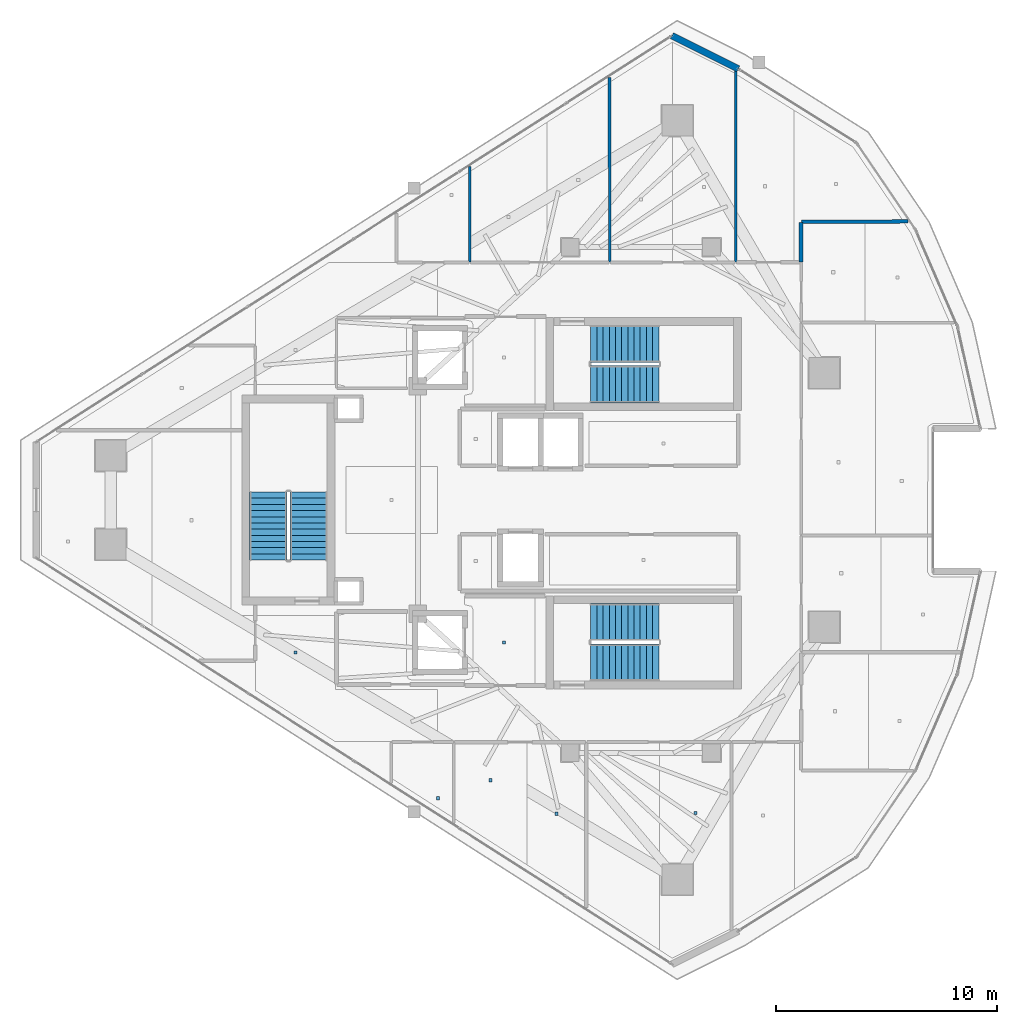
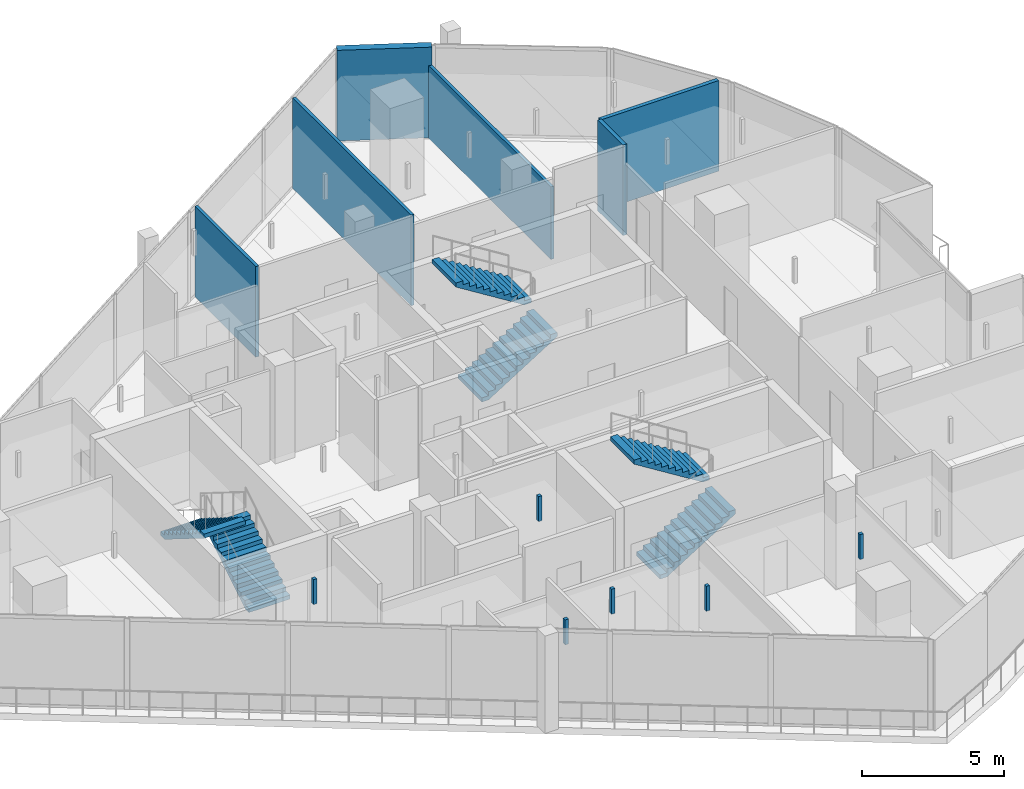
# One storey, part 18 of 24: 6 discrete accessories, 6 stair flights, 6 walls, 3 elements without a shape of their own.
"""IFC4 building model written with IfcOpenShell, lengths in metres."""

from ifc_helpers import new_model, si_unit, direction, frame, frame_2d, origin, origin_2d, place, context, subcontext, project, spatial, polyline, rectangle, outline, extrude, material, layer, layer_set, type_object, element, aggregate, save


model = new_model("IFC4")

# Units and contexts
model_context = context("Model", 3, precision=1e-05, world=origin(), true_north=direction((0.0, 1.0)))
body_context = subcontext(model_context, "Body", "Model", "MODEL_VIEW")
ifc_project = project(units=[si_unit("LENGTHUNIT", "METRE"), si_unit("AREAUNIT", "SQUARE_METRE"), si_unit("VOLUMEUNIT", "CUBIC_METRE"), si_unit("PLANEANGLEUNIT", "RADIAN"), si_unit("MASSUNIT", "GRAM", prefix="KILO")], contexts=[model_context])

# Site, building, storey
site_placement = place(None, origin())
site = spatial("IfcSite", under=ifc_project, at=site_placement, CompositionType="ELEMENT")
building_placement = place(site_placement, origin())
building = spatial("IfcBuilding", under=site, at=building_placement, Name="Qorvath Tower", CompositionType="ELEMENT")
storey_placement = place(building_placement, frame((0.0, 0.0, 318.60009765625)))
storey = spatial("IfcBuildingStorey", under=building, at=storey_placement, Name="L74", CompositionType="ELEMENT", Elevation=318.60009765625)

# Walls
ifc_material_1 = material(Name="Double acoustic gypsum board on steel studs", Category="steel")
ifc_layer_1 = layer(ifc_material_1, 0.159912109375)
ifc_layer_set_1 = layer_set([ifc_layer_1], Name="IW-ACOUSTIC-160")
wall_type_1 = type_object("IfcWallType", Name="IW-ACOUSTIC-160", PredefinedType="PARTITIONING", material=ifc_layer_set_1)
wall_1_placement = place(storey_placement, frame((-13.14990234375, 10.783203125, 0.0), z_axis=(0.0, 0.0, 1.0), x_axis=(0.0, 1.0, 0.0)))
element("IfcWall", 1, at=wall_1_placement, inside=storey, type_object=wall_type_1, Name="Interior Partition IW-T1-L74-029", PredefinedType="PARTITIONING", context=body_context, shape_type="SweptSolid", body=[
    extrude(rectangle(XDim=1.7841796875, YDim=0.159912109375, at=frame_2d((0.89208984375, 0.0))), origin(), (0.0, 0.0, 1.0), 3.909912109375),
])
wall_2_placement = place(storey_placement, frame((-13.125, 12.592529296875, 0.0), z_axis=(0.0, 0.0, 1.0), x_axis=(0.999992212385, 0.003946538786, 0.0)))
element("IfcWall", 2, at=wall_2_placement, inside=storey, type_object=wall_type_1, Name="Interior Partition IW-T1-L74-030", PredefinedType="PARTITIONING", context=body_context, shape_type="SweptSolid", body=[
    extrude(rectangle(XDim=4.8251953125, YDim=0.159912109375, at=frame_2d((2.41259765625, 0.0))), origin(), (0.0, 0.0, 1.0), 3.909912109375),
])
ifc_material_2 = material(Name="Gypsum board on metal studs with mineral wool", Category="gypsum")
ifc_layer_2 = layer(ifc_material_2, 0.125)
ifc_layer_set_2 = layer_set([ifc_layer_2], Name="IW-PART-125")
wall_type_2 = type_object("IfcWallType", Name="IW-PART-125", PredefinedType="PARTITIONING", material=ifc_layer_set_2)
wall_3_placement = place(storey_placement, frame((-28.147216796875, 10.783203125, 0.0), z_axis=(0.0, 0.0, 1.0), x_axis=(0.0, 1.0, 0.0)))
element("IfcWall", 3, at=wall_3_placement, inside=storey, type_object=wall_type_2, Name="Interior Partition IW-T1-L74-022", PredefinedType="PARTITIONING", context=body_context, shape_type="SweptSolid", body=[
    extrude(rectangle(XDim=4.305908203125, YDim=0.125, at=frame_2d((2.15283203125, 0.0))), origin(), (0.0, 0.0, 1.0), 3.909912109375),
])
wall_4_placement = place(storey_placement, frame((-21.81298828125, 10.783203125, 0.0), z_axis=(0.0, 0.0, 1.0), x_axis=(-0.000292295089, 0.999999957282, 0.0)))
element("IfcWall", 4, at=wall_4_placement, inside=storey, type_object=wall_type_2, Name="Interior Partition IW-T1-L74-025", PredefinedType="PARTITIONING", context=body_context, shape_type="SweptSolid", body=[
    extrude(rectangle(XDim=8.3525390625, YDim=0.125, at=frame_2d((4.17626953125, 0.0))), origin(), (0.0, 0.0, 1.0), 3.909912109375),
])
wall_5_placement = place(storey_placement, frame((-16.106201171875, 10.783203125, 0.0), z_axis=(0.0, 0.0, 1.0), x_axis=(-0.000112079351, 0.999999993719, 0.0)))
element("IfcWall", 5, at=wall_5_placement, inside=storey, type_object=wall_type_2, Name="Interior Partition IW-T1-L74-027", PredefinedType="PARTITIONING", context=body_context, shape_type="SweptSolid", body=[
    extrude(rectangle(XDim=8.713134765625, YDim=0.125, at=frame_2d((4.3564453125, 0.0))), origin(), (0.0, 0.0, 1.0), 3.1298828125),
])
ifc_material_3 = material(Name="Precast concrete C45/55", Category="concrete")
ifc_layer_3 = layer(ifc_material_3, 0.300048828125)
ifc_layer_set_3 = layer_set([ifc_layer_3], Name="WL-EW-LOG-300")
wall_type_3 = type_object("IfcWallType", Name="WL-EW-LOG-300", PredefinedType="SOLIDWALL", material=ifc_layer_set_3)
wall_6_placement = place(storey_placement, frame((-18.993408203125, 21.019287109375, 0.0), z_axis=(0.0, 0.0, 1.0), x_axis=(0.894441735477, -0.447184505362, 0.0)))
element("IfcWall", 6, at=wall_6_placement, inside=storey, type_object=wall_type_3, Name="Tower Precast Loggia Wall L74-15.1", PredefinedType="SOLIDWALL", context=body_context, shape_type="SweptSolid", body=[
    extrude(rectangle(XDim=3.35693359375, YDim=0.300048828125, at=frame_2d((1.678466796875, 0.0))), origin(), (0.0, 0.0, 1.0), 3.909912109375),
])

# Stair, stair flights
ifc_material_4 = material(Name="Concrete C50/60", Category="concrete")
stair_type = type_object("IfcStairType", Name="ST-H420", PredefinedType="HALF_TURN_STAIR", material=ifc_material_4)
stair_1_placement = place(storey_placement, origin())
stair_1 = element("IfcStair", 7, at=stair_1_placement, inside=storey, type_object=stair_type, Name="L74 Tower Exit Stair 1", PredefinedType="HALF_TURN_STAIR")
ifc_material_5 = material(Name="Concrete C50/60", Category="concrete")
ifc_layer_4 = layer(ifc_material_5, 0.14990234375)
ifc_layer_set_4 = layer_set([ifc_layer_4], Name="SF-H420")
stair_flight_type = type_object("IfcStairFlightType", Name="SF-H420", PredefinedType="STRAIGHT", material=ifc_layer_set_4)
stair_flight_1_placement = place(storey_placement, frame((-22.669921875, 5.239990234375, 0.0), z_axis=(0.0, 0.0, 1.0), x_axis=(1.0, 0.0, 0.0)))
stair_flight_1 = element("IfcStairFlight", 8, at=stair_flight_1_placement, type_object=stair_flight_type, Name="TS1 flight 1", NumberOfRisers=12, NumberOfTreads=11, PredefinedType="STRAIGHT", RiserHeight=0.175, TreadLength=0.28, context=body_context, shape_type="SweptSolid", body=[
    extrude(outline(polyline([(0.0, 0.0), (0.0, 0.175048828125), (0.280029296875, 0.175048828125), (0.280029296875, 0.35009765625), (0.56005859375, 0.35009765625), (0.56005859375, 0.52490234375), (0.840087890625, 0.52490234375), (0.840087890625, 0.699951171875), (1.1201171875, 0.699951171875), (1.1201171875, 0.875), (1.39990234375, 0.875), (1.39990234375, 1.050048828125), (1.679931640625, 1.050048828125), (1.679931640625, 1.22509765625), (1.9599609375, 1.22509765625), (1.9599609375, 1.39990234375), (2.239990234375, 1.39990234375), (2.239990234375, 1.574951171875), (2.52001953125, 1.574951171875), (2.52001953125, 1.75), (2.800048828125, 1.75), (2.800048828125, 1.925048828125), (3.080078125, 1.925048828125), (3.080078125, 2.10009765625), (3.080078125, 1.748291015625), (0.28271484375, 0.0), (0.0, 0.0)])), frame((0.0, 0.83984375, 0.0), z_axis=(0.0, -1.0, 0.0), x_axis=(1.0, 0.0, 0.0)), (0.0, 0.0, 1.0), 1.679931640625),
])
stair_flight_2_placement = place(storey_placement, frame((-19.590087890625, 7.070068359375, 2.099853515625), z_axis=(0.0, 0.0, 1.0), x_axis=(-1.0, 0.0, 0.0)))
stair_flight_2 = element("IfcStairFlight", 9, at=stair_flight_2_placement, type_object=stair_flight_type, Name="TS1 flight 2", NumberOfRisers=12, NumberOfTreads=11, PredefinedType="STRAIGHT", RiserHeight=0.175, TreadLength=0.28, context=body_context, shape_type="SweptSolid", body=[
    extrude(outline(polyline([(0.0, 0.0), (0.0, 0.175048828125), (0.280029296875, 0.175048828125), (0.280029296875, 0.35009765625), (0.56005859375, 0.35009765625), (0.56005859375, 0.52490234375), (0.840087890625, 0.52490234375), (0.840087890625, 0.699951171875), (1.1201171875, 0.699951171875), (1.1201171875, 0.875), (1.39990234375, 0.875), (1.39990234375, 1.050048828125), (1.679931640625, 1.050048828125), (1.679931640625, 1.22509765625), (1.9599609375, 1.22509765625), (1.9599609375, 1.39990234375), (2.239990234375, 1.39990234375), (2.239990234375, 1.574951171875), (2.52001953125, 1.574951171875), (2.52001953125, 1.75), (2.800048828125, 1.75), (2.800048828125, 1.925048828125), (3.080078125, 1.925048828125), (3.080078125, 2.10009765625), (3.080078125, 1.748291015625), (0.28271484375, 0.0), (0.0, 0.0)])), frame((0.0, 0.83984375, 0.0), z_axis=(0.0, -1.0, 0.0), x_axis=(1.0, 0.0, 0.0)), (0.0, 0.0, 1.0), 1.679931640625),
])
aggregate(stair_1, [stair_flight_1, stair_flight_2])

stair_2_placement = place(storey_placement, origin())
stair_2 = element("IfcStair", 10, at=stair_2_placement, inside=storey, type_object=stair_type, Name="L74 Tower Exit Stair 2", PredefinedType="HALF_TURN_STAIR")
stair_flight_3_placement = place(storey_placement, frame((-22.669921875, -7.360107421875, 0.0), z_axis=(0.0, 0.0, 1.0), x_axis=(1.0, 0.0, 0.0)))
stair_flight_3 = element("IfcStairFlight", 11, at=stair_flight_3_placement, type_object=stair_flight_type, Name="TS2 flight 1", NumberOfRisers=12, NumberOfTreads=11, PredefinedType="STRAIGHT", RiserHeight=0.175, TreadLength=0.28, context=body_context, shape_type="SweptSolid", body=[
    extrude(outline(polyline([(0.0, 0.0), (0.0, 0.175048828125), (0.280029296875, 0.175048828125), (0.280029296875, 0.35009765625), (0.56005859375, 0.35009765625), (0.56005859375, 0.52490234375), (0.840087890625, 0.52490234375), (0.840087890625, 0.699951171875), (1.1201171875, 0.699951171875), (1.1201171875, 0.875), (1.39990234375, 0.875), (1.39990234375, 1.050048828125), (1.679931640625, 1.050048828125), (1.679931640625, 1.22509765625), (1.9599609375, 1.22509765625), (1.9599609375, 1.39990234375), (2.239990234375, 1.39990234375), (2.239990234375, 1.574951171875), (2.52001953125, 1.574951171875), (2.52001953125, 1.75), (2.800048828125, 1.75), (2.800048828125, 1.925048828125), (3.080078125, 1.925048828125), (3.080078125, 2.10009765625), (3.080078125, 1.748291015625), (0.28271484375, 0.0), (0.0, 0.0)])), frame((0.0, 0.83984375, 0.0), z_axis=(0.0, -1.0, 0.0), x_axis=(1.0, 0.0, 0.0)), (0.0, 0.0, 1.0), 1.679931640625),
])
stair_flight_4_placement = place(storey_placement, frame((-19.590087890625, -5.530029296875, 2.099853515625), z_axis=(0.0, 0.0, 1.0), x_axis=(-1.0, 0.0, 0.0)))
stair_flight_4 = element("IfcStairFlight", 12, at=stair_flight_4_placement, type_object=stair_flight_type, Name="TS2 flight 2", NumberOfRisers=12, NumberOfTreads=11, PredefinedType="STRAIGHT", RiserHeight=0.175, TreadLength=0.28, context=body_context, shape_type="SweptSolid", body=[
    extrude(outline(polyline([(0.0, 0.0), (0.0, 0.175048828125), (0.280029296875, 0.175048828125), (0.280029296875, 0.35009765625), (0.56005859375, 0.35009765625), (0.56005859375, 0.52490234375), (0.840087890625, 0.52490234375), (0.840087890625, 0.699951171875), (1.1201171875, 0.699951171875), (1.1201171875, 0.875), (1.39990234375, 0.875), (1.39990234375, 1.050048828125), (1.679931640625, 1.050048828125), (1.679931640625, 1.22509765625), (1.9599609375, 1.22509765625), (1.9599609375, 1.39990234375), (2.239990234375, 1.39990234375), (2.239990234375, 1.574951171875), (2.52001953125, 1.574951171875), (2.52001953125, 1.75), (2.800048828125, 1.75), (2.800048828125, 1.925048828125), (3.080078125, 1.925048828125), (3.080078125, 2.10009765625), (3.080078125, 1.748291015625), (0.28271484375, 0.0), (0.0, 0.0)])), frame((0.0, 0.83984375, 0.0), z_axis=(0.0, -1.0, 0.0), x_axis=(1.0, 0.0, 0.0)), (0.0, 0.0, 1.0), 1.679931640625),
])
aggregate(stair_2, [stair_flight_3, stair_flight_4])

stair_3_placement = place(storey_placement, origin())
stair_3 = element("IfcStair", 13, at=stair_3_placement, inside=storey, type_object=stair_type, Name="L74 Tower Exit Stair 3", PredefinedType="HALF_TURN_STAIR")
stair_flight_5_placement = place(storey_placement, frame((-35.43994140625, -2.719970703125, 0.0), z_axis=(0.0, 0.0, 1.0), x_axis=(0.0, 1.0, 0.0)))
stair_flight_5 = element("IfcStairFlight", 14, at=stair_flight_5_placement, type_object=stair_flight_type, Name="TS3 flight 1", NumberOfRisers=12, NumberOfTreads=11, PredefinedType="STRAIGHT", RiserHeight=0.175, TreadLength=0.28, context=body_context, shape_type="SweptSolid", body=[
    extrude(outline(polyline([(0.0, 0.0), (0.0, 0.175048828125), (0.280029296875, 0.175048828125), (0.280029296875, 0.35009765625), (0.56005859375, 0.35009765625), (0.56005859375, 0.52490234375), (0.840087890625, 0.52490234375), (0.840087890625, 0.699951171875), (1.1201171875, 0.699951171875), (1.1201171875, 0.875), (1.39990234375, 0.875), (1.39990234375, 1.050048828125), (1.679931640625, 1.050048828125), (1.679931640625, 1.22509765625), (1.9599609375, 1.22509765625), (1.9599609375, 1.39990234375), (2.239990234375, 1.39990234375), (2.239990234375, 1.574951171875), (2.52001953125, 1.574951171875), (2.52001953125, 1.75), (2.800048828125, 1.75), (2.800048828125, 1.925048828125), (3.080078125, 1.925048828125), (3.080078125, 2.10009765625), (3.080078125, 1.748291015625), (0.28271484375, 0.0), (0.0, 0.0)])), frame((0.0, 0.83984375, 0.0), z_axis=(0.0, -1.0, 0.0), x_axis=(1.0, 0.0, 0.0)), (0.0, 0.0, 1.0), 1.679931640625),
])
stair_flight_6_placement = place(storey_placement, frame((-37.27001953125, 0.360107421875, 2.099853515625), z_axis=(0.0, 0.0, 1.0), x_axis=(0.0, -1.0, 0.0)))
stair_flight_6 = element("IfcStairFlight", 15, at=stair_flight_6_placement, type_object=stair_flight_type, Name="TS3 flight 2", NumberOfRisers=12, NumberOfTreads=11, PredefinedType="STRAIGHT", RiserHeight=0.175, TreadLength=0.28, context=body_context, shape_type="SweptSolid", body=[
    extrude(outline(polyline([(0.0, 0.0), (0.0, 0.175048828125), (0.280029296875, 0.175048828125), (0.280029296875, 0.35009765625), (0.56005859375, 0.35009765625), (0.56005859375, 0.52490234375), (0.840087890625, 0.52490234375), (0.840087890625, 0.699951171875), (1.1201171875, 0.699951171875), (1.1201171875, 0.875), (1.39990234375, 0.875), (1.39990234375, 1.050048828125), (1.679931640625, 1.050048828125), (1.679931640625, 1.22509765625), (1.9599609375, 1.22509765625), (1.9599609375, 1.39990234375), (2.239990234375, 1.39990234375), (2.239990234375, 1.574951171875), (2.52001953125, 1.574951171875), (2.52001953125, 1.75), (2.800048828125, 1.75), (2.800048828125, 1.925048828125), (3.080078125, 1.925048828125), (3.080078125, 2.10009765625), (3.080078125, 1.748291015625), (0.28271484375, 0.0), (0.0, 0.0)])), frame((0.0, 0.83984375, 0.0), z_axis=(0.0, -1.0, 0.0), x_axis=(1.0, 0.0, 0.0)), (0.0, 0.0, 1.0), 1.679931640625),
])
aggregate(stair_3, [stair_flight_5, stair_flight_6])

# Discrete accessories
ifc_material_6 = material(Name="Galvanised steel bracket", Category="steel")
discrete_accessory_type = type_object("IfcDiscreteAccessoryType", Name="DA-BRACKET", PredefinedType="BRACKET", material=ifc_material_6)
for number, where, z_axis, x_axis, name in (
    (16, (-26.590087890625, -6.449951171875, 2.85986328125), (0.0, 0.0, 1.0), (1.0, 0.0, 0.0), "Acoustic Ceiling Suspension Hanger T1-L74-002"),
    (17, (-36.04150390625, -6.908447265625, 2.85986328125), (0.0, 0.0, 1.0), (1.0, 0.0, 0.0), "Acoustic Ceiling Suspension Hanger T1-L74-010"),
    (18, (-29.576904296875, -13.502197265625, 2.85986328125), (0.0, 0.0, 1.0), (1.0, 0.0, 0.0), "Acoustic Ceiling Suspension Hanger T1-L74-019"),
    (19, (-27.207763671875, -12.688720703125, 2.85986328125), (0.0, 0.0, 1.0), (1.0, 0.0, 0.0), "Acoustic Ceiling Suspension Hanger T1-L74-020"),
    (20, (-24.221435546875, -14.203857421875, 2.85986328125), (0.0, 0.0, 1.0), (1.0, 0.0, 0.0), "Acoustic Ceiling Suspension Hanger T1-L74-021"),
    (21, (-17.92822265625, -14.162841796875, 2.85986328125), (0.0, 0.0, 1.0), (1.0, 0.0, 0.0), "Acoustic Ceiling Suspension Hanger T1-L74-023"),
):
    element("IfcDiscreteAccessory", number, at=place(storey_placement, frame(where, z_axis=z_axis, x_axis=x_axis)), inside=storey, type_object=discrete_accessory_type, Name=name, PredefinedType="NOTDEFINED", context=body_context, shape_type="SweptSolid", body=[
        extrude(rectangle(XDim=0.139892578125, YDim=0.139892578125, at=origin_2d()), origin(), (0.0, 0.0, 1.0), 1.080078125),
    ])

save(model, "model.ifc")
